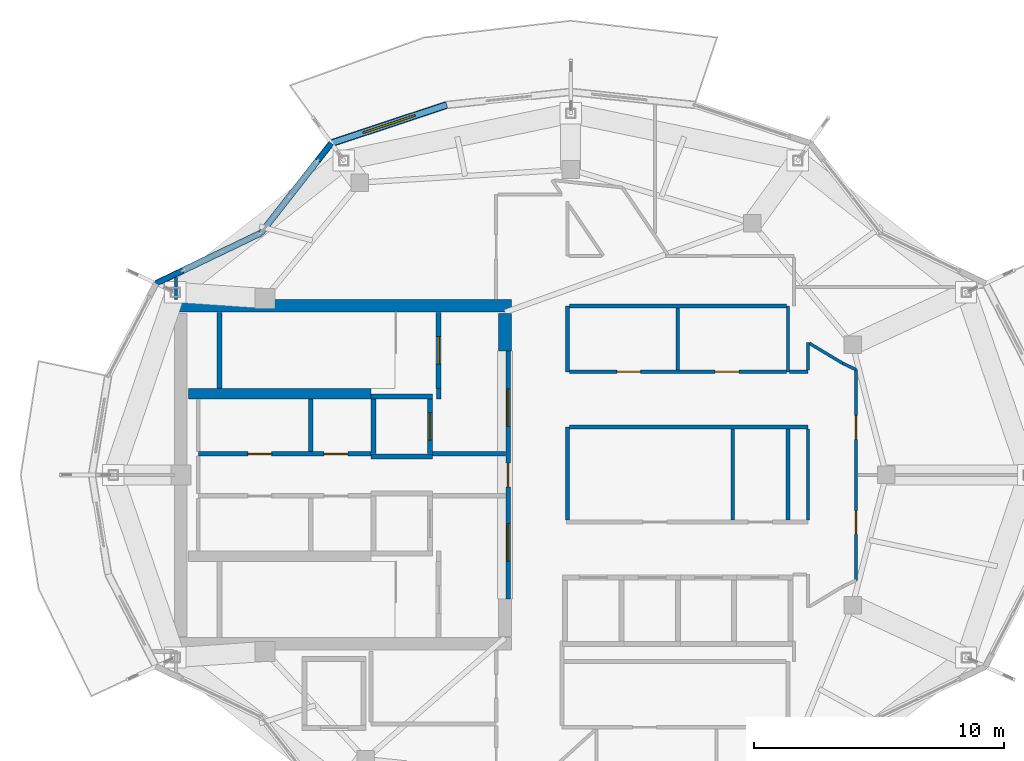
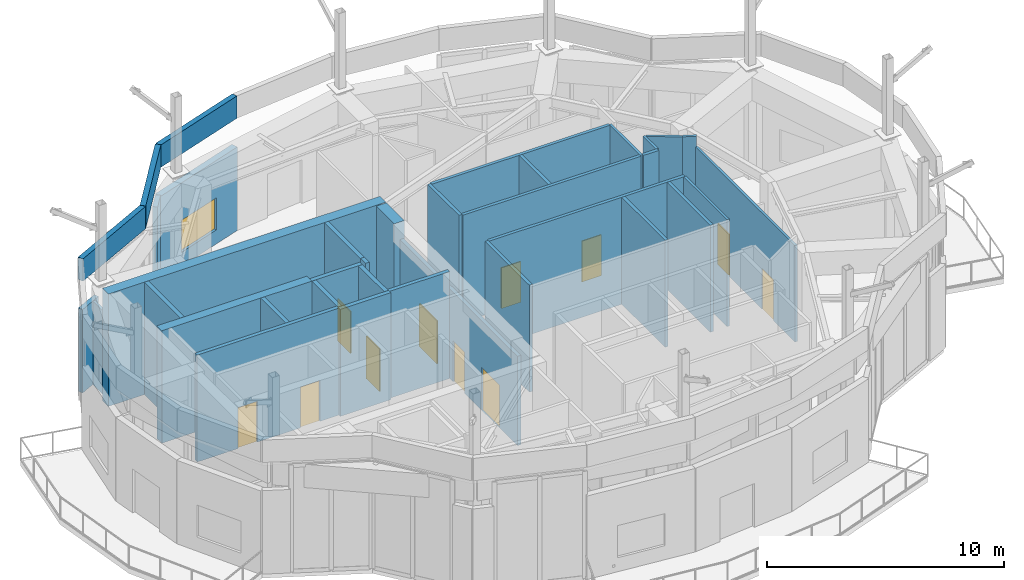
# One storey, part 10 of 13: 36 walls, 11 doors, 1 window, 12 openings.
"""IFC4 building model written with IfcOpenShell, lengths in metres."""

from ifc_helpers import new_model, si_unit, direction, frame, frame_2d, origin, place, context, subcontext, project, spatial, rectangle, extrude, material, layer, layer_set, type_object, element, fill, save


model = new_model("IFC4")

# Units and contexts
model_context = context("Model", 3, precision=1e-05, world=origin(), true_north=direction((0.0, 1.0)))
body_context = subcontext(model_context, "Body", "Model", "MODEL_VIEW")
ifc_project = project(units=[si_unit("LENGTHUNIT", "METRE"), si_unit("AREAUNIT", "SQUARE_METRE"), si_unit("VOLUMEUNIT", "CUBIC_METRE"), si_unit("PLANEANGLEUNIT", "RADIAN"), si_unit("MASSUNIT", "GRAM", prefix="KILO")], contexts=[model_context])

# Site, building, storey
site_placement = place(None, origin())
site = spatial("IfcSite", under=ifc_project, at=site_placement, CompositionType="ELEMENT")
building_placement = place(site_placement, origin())
building = spatial("IfcBuilding", under=site, at=building_placement, Name="Kolvaren Gate Tower and Convention Centre", CompositionType="ELEMENT")
storey_placement = place(building_placement, frame((0.0, 0.0, 281.60009765625)))
storey = spatial("IfcBuildingStorey", under=building, at=storey_placement, Name="L76", CompositionType="ELEMENT", Elevation=281.60009765625)

# Wall
ifc_material_1 = material(Name="Autoclaved Aerated Masonry Blockwork Class 4 (4.0 MPa)", Category="masonry")
ifc_layer_1 = layer(ifc_material_1, 0.179931640625)
ifc_layer_set_1 = layer_set([ifc_layer_1], Name="Autoclaved Aerated Masonry Blockwork Class 4 (4.0 MPa)")
wall_type_1 = type_object("IfcWallType", Name="ARCH-WL-COMP-180", PredefinedType="SOLIDWALL", material=ifc_layer_set_1)
wall_1_placement = place(storey_placement, frame((24.85009765625, 30.0400390625, 0.0), z_axis=(0.0, 0.0, 1.0), x_axis=(0.0, 1.0, 0.0)))
element("IfcWall", 1, at=wall_1_placement, inside=storey, type_object=wall_type_1, Name="Interior Partition WL-L76-INT-002", PredefinedType="SOLIDWALL", context=body_context, shape_type="SweptSolid", body=[
    extrude(rectangle(XDim=0.419921875, YDim=0.179931640625, at=frame_2d((0.2099609375, 0.0))), origin(), (0.0, 0.0, 1.0), 5.5),
])

# Wall, openings, doors
wall_2_placement = place(storey_placement, frame((27.6201171875, 22.050048828125, 0.0), z_axis=(0.0, 0.0, 1.0), x_axis=(0.0, 1.0, 0.0)))
wall_2 = element("IfcWall", 2, at=wall_2_placement, inside=storey, type_object=wall_type_1, Name="Interior Partition WL-L76-INT-003", PredefinedType="SOLIDWALL", context=body_context, shape_type="SweptSolid", body=[
    extrude(rectangle(XDim=9.89990234375, YDim=0.179931640625, at=frame_2d((4.949951171875, 0.0))), origin(), (0.0, 0.0, 1.0), 4.591796875),
])
opening_1_placement = place(wall_2_placement, frame((4.47509765625, 0.0, 0.0)))
opening_1 = element("IfcOpeningElement", 3, at=opening_1_placement, cuts=wall_2, Name="Opening DR-01", PredefinedType="OPENING", context=body_context, shape_type="SweptSolid", body=[
    extrude(rectangle(XDim=0.949951171875, YDim=2.10009765625, at=frame_2d((0.47509765625, 1.050048828125))), frame((0.0, 0.099853515625, 0.0), z_axis=(0.0, -1.0, 0.0), x_axis=(1.0, 0.0, 0.0)), (0.0, 0.0, 1.0), 0.199951171875),
])
opening_2_placement = place(wall_2_placement, frame((6.889892578125, 0.0, 0.0)))
opening_2 = element("IfcOpeningElement", 4, at=opening_2_placement, cuts=wall_2, Name="Opening DL-01", PredefinedType="OPENING", context=body_context, shape_type="SweptSolid", body=[
    extrude(rectangle(XDim=1.5, YDim=2.199951171875, at=frame_2d((0.75, 1.10009765625))), frame((0.0, 0.099853515625, 0.0), z_axis=(0.0, -1.0, 0.0), x_axis=(1.0, 0.0, 0.0)), (0.0, 0.0, 1.0), 0.199951171875),
])
opening_3_placement = place(wall_2_placement, frame((1.510009765625, 0.0, 0.0)))
opening_3 = element("IfcOpeningElement", 5, at=opening_3_placement, cuts=wall_2, Name="Opening DL-01", PredefinedType="OPENING", context=body_context, shape_type="SweptSolid", body=[
    extrude(rectangle(XDim=1.5, YDim=2.199951171875, at=frame_2d((0.75, 1.10009765625))), frame((0.0, 0.099853515625, 0.0), z_axis=(0.0, -1.0, 0.0), x_axis=(1.0, 0.0, 0.0)), (0.0, 0.0, 1.0), 0.199951171875),
])
ifc_material_2 = material(Name="Painted Architectural Steelwork ASTM A500 Grade C 345 MPa", Category="steel")
door_type_1 = type_object("IfcDoorType", Name="ARCH-DR-LOBBY-1500", OperationType="DOUBLE_DOOR_SINGLE_SWING", PredefinedType="DOOR", material=ifc_material_2)
door_1_placement = place(opening_2_placement, origin())
door_1 = element("IfcDoor", 6, at=door_1_placement, inside=storey, type_object=door_type_1, Name="North Firefighting Stair and Lift Lobby Door", OperationType="DOUBLE_DOOR_SINGLE_SWING", OverallHeight=2.199951171875, OverallWidth=1.5, PredefinedType="DOOR", context=body_context, shape_type="SweptSolid", body=[
    extrude(rectangle(XDim=1.5, YDim=2.199951171875, at=frame_2d((0.75, 1.10009765625))), frame((0.0, 0.02490234375, 0.0), z_axis=(0.0, -1.0, 0.0), x_axis=(1.0, 0.0, 0.0)), (0.0, 0.0, 1.0), 0.050048828125),
])
fill(opening_2, door_1)
door_2_placement = place(opening_3_placement, origin())
door_2 = element("IfcDoor", 7, at=door_2_placement, inside=storey, type_object=door_type_1, Name="South Firefighting Stair and Lift Lobby Door", OperationType="DOUBLE_DOOR_SINGLE_SWING", OverallHeight=2.199951171875, OverallWidth=1.5, PredefinedType="DOOR", context=body_context, shape_type="SweptSolid", body=[
    extrude(rectangle(XDim=1.5, YDim=2.199951171875, at=frame_2d((0.75, 1.10009765625))), frame((0.0, 0.02490234375, 0.0), z_axis=(0.0, -1.0, 0.0), x_axis=(1.0, 0.0, 0.0)), (0.0, 0.0, 1.0), 0.050048828125),
])
fill(opening_3, door_2)
door_type_2 = type_object("IfcDoorType", Name="ARCH-DR-RISER-950", OperationType="SINGLE_SWING_RIGHT", PredefinedType="DOOR", material=ifc_material_2)
door_3_placement = place(opening_1_placement, origin())
door_3 = element("IfcDoor", 8, at=door_3_placement, inside=storey, type_object=door_type_2, Name="Central MEP Service Corridor Door", OperationType="SINGLE_SWING_LEFT", OverallHeight=2.10009765625, OverallWidth=0.949951171875, PredefinedType="DOOR", context=body_context, shape_type="SweptSolid", body=[
    extrude(rectangle(XDim=0.949951171875, YDim=2.10009765625, at=frame_2d((0.47509765625, 1.050048828125))), frame((0.0, 0.02490234375, 0.0), z_axis=(0.0, -1.0, 0.0), x_axis=(1.0, 0.0, 0.0)), (0.0, 0.0, 1.0), 0.050048828125),
])
fill(opening_1, door_3)

wall_3_placement = place(storey_placement, frame((15.25, 27.840087890625, 0.0), z_axis=(0.0, 0.0, 1.0), x_axis=(1.0, 0.0, 0.0)))
wall_3 = element("IfcWall", 9, at=wall_3_placement, inside=storey, type_object=wall_type_1, Name="Interior Partition WL-L76-INT-004", PredefinedType="SOLIDWALL", context=body_context, shape_type="SweptSolid", body=[
    extrude(rectangle(XDim=6.89990234375, YDim=0.179931640625, at=frame_2d((3.449951171875, 0.0))), origin(), (0.0, 0.0, 1.0), 5.5),
])
opening_4_placement = place(wall_3_placement, frame((5.02001953125, 0.0, 0.0)))
opening_4 = element("IfcOpeningElement", 10, at=opening_4_placement, cuts=wall_3, Name="Opening DR-01", PredefinedType="OPENING", context=body_context, shape_type="SweptSolid", body=[
    extrude(rectangle(XDim=0.949951171875, YDim=2.10009765625, at=frame_2d((0.47509765625, 1.050048828125))), frame((0.0, 0.099853515625, 0.0), z_axis=(0.0, -1.0, 0.0), x_axis=(1.0, 0.0, 0.0)), (0.0, 0.0, 1.0), 0.199951171875),
])
opening_5_placement = place(wall_3_placement, frame((1.97998046875, 0.0, 0.0)))
opening_5 = element("IfcOpeningElement", 11, at=opening_5_placement, cuts=wall_3, Name="Opening DR-01", PredefinedType="OPENING", context=body_context, shape_type="SweptSolid", body=[
    extrude(rectangle(XDim=0.949951171875, YDim=2.10009765625, at=frame_2d((0.47509765625, 1.050048828125))), frame((0.0, 0.099853515625, 0.0), z_axis=(0.0, -1.0, 0.0), x_axis=(1.0, 0.0, 0.0)), (0.0, 0.0, 1.0), 0.199951171875),
])
door_4_placement = place(opening_4_placement, origin())
door_4 = element("IfcDoor", 12, at=door_4_placement, inside=storey, type_object=door_type_2, Name="Electrical Switchgear Closet Door", OperationType="SINGLE_SWING_RIGHT", OverallHeight=2.10009765625, OverallWidth=0.949951171875, PredefinedType="DOOR", context=body_context, shape_type="SweptSolid", body=[
    extrude(rectangle(XDim=0.949951171875, YDim=2.10009765625, at=frame_2d((0.47509765625, 1.050048828125))), frame((0.0, 0.02490234375, 0.0), z_axis=(0.0, -1.0, 0.0), x_axis=(1.0, 0.0, 0.0)), (0.0, 0.0, 1.0), 0.050048828125),
])
fill(opening_4, door_4)
door_5_placement = place(opening_5_placement, origin())
door_5 = element("IfcDoor", 13, at=door_5_placement, inside=storey, type_object=door_type_2, Name="Staff Powder Washroom Door", OperationType="SINGLE_SWING_RIGHT", OverallHeight=2.10009765625, OverallWidth=0.949951171875, PredefinedType="DOOR", context=body_context, shape_type="SweptSolid", body=[
    extrude(rectangle(XDim=0.949951171875, YDim=2.10009765625, at=frame_2d((0.47509765625, 1.050048828125))), frame((0.0, 0.02490234375, 0.0), z_axis=(0.0, -1.0, 0.0), x_axis=(1.0, 0.0, 0.0)), (0.0, 0.0, 1.0), 0.050048828125),
])
fill(opening_5, door_5)

# Walls
wall_4_placement = place(storey_placement, frame((24.60009765625, 27.840087890625, 0.0), z_axis=(0.0, 0.0, 1.0), x_axis=(1.0, 0.0, 0.0)))
element("IfcWall", 14, at=wall_4_placement, inside=storey, type_object=wall_type_1, Name="Interior Partition WL-L76-INT-004 (2)", PredefinedType="SOLIDWALL", context=body_context, shape_type="SweptSolid", body=[
    extrude(rectangle(XDim=2.927978515625, YDim=0.179931640625, at=frame_2d((1.4638671875, 0.0))), origin(), (0.0, 0.0, 1.0), 5.5),
])
wall_5_placement = place(storey_placement, frame((19.75, 27.931884765625, 0.0), z_axis=(0.0, 0.0, 1.0), x_axis=(0.0, 1.0, 0.0)))
element("IfcWall", 15, at=wall_5_placement, inside=storey, type_object=wall_type_1, Name="Interior Partition WL-L76-INT-008", PredefinedType="SOLIDWALL", context=body_context, shape_type="SweptSolid", body=[
    extrude(rectangle(XDim=2.106201171875, YDim=0.179931640625, at=frame_2d((1.05322265625, 0.0))), origin(), (0.0, 0.0, 1.0), 5.5),
])
ifc_material_3 = material(Name="Piedmont Cream Honed Limestone Cladding", Category="masonry")
ifc_layer_2 = layer(ifc_material_3, 0.25)
ifc_layer_set_2 = layer_set([ifc_layer_2], Name="Piedmont Cream Honed Limestone Cladding")
wall_type_2 = type_object("IfcWallType", Name="ARCH-WL-PARAPET-250", PredefinedType="PARAPET", material=ifc_layer_set_2)
wall_6_placement = place(storey_placement, frame((20.5625, 40.250244140625, 5.75), z_axis=(0.0, 0.0, 1.0), x_axis=(0.949234518432, 0.314569275388, 0.0)))
element("IfcWall", 16, at=wall_6_placement, inside=storey, type_object=wall_type_2, Name="Observation Roof Core-Cap Stone Parapet CPW-08", PredefinedType="PARAPET", context=body_context, shape_type="SweptSolid", body=[
    extrude(rectangle(XDim=4.859130859375, YDim=0.25, at=frame_2d((2.4296875, 0.0))), origin(), (0.0, 0.0, 1.0), 1.14990234375),
])
wall_7_placement = place(storey_placement, frame((17.755615234375, 36.664794921875, 5.75), z_axis=(0.0, 0.0, 1.0), x_axis=(0.616428247224, 0.78741108452, 0.0)))
element("IfcWall", 17, at=wall_7_placement, inside=storey, type_object=wall_type_2, Name="Observation Roof Core-Cap Stone Parapet CPW-09", PredefinedType="PARAPET", context=body_context, shape_type="SweptSolid", body=[
    extrude(rectangle(XDim=4.553466796875, YDim=0.25, at=frame_2d((2.27685546875, 0.0))), origin(), (0.0, 0.0, 1.0), 1.14990234375),
])
wall_8_placement = place(storey_placement, frame((13.562255859375, 34.64990234375, 5.75), z_axis=(0.0, 0.0, 1.0), x_axis=(0.901348560632, 0.433094414933, 0.0)))
element("IfcWall", 18, at=wall_8_placement, inside=storey, type_object=wall_type_2, Name="Observation Roof Core-Cap Stone Parapet CPW-10", PredefinedType="PARAPET", context=body_context, shape_type="SweptSolid", body=[
    extrude(rectangle(XDim=4.65234375, YDim=0.25, at=frame_2d((2.326171875, 0.0))), origin(), (0.0, 0.0, 1.0), 1.14990234375),
])
ifc_material_4 = material(Name="Fire-Rated Acoustic Gypsum Stud Partition", Category="gypsum")
ifc_layer_3 = layer(ifc_material_4, 0.1201171875)
ifc_layer_set_3 = layer_set([ifc_layer_3], Name="Fire-Rated Acoustic Gypsum Stud Partition")
wall_type_3 = type_object("IfcWallType", Name="ARCH-WL-PART-120", PredefinedType="PARTITIONING", material=ifc_layer_set_3)
wall_9_placement = place(storey_placement, frame((38.800048828125, 31.1201171875, 0.0), z_axis=(0.0, 0.0, 1.0), x_axis=(0.0, 1.0, 0.0)))
element("IfcWall", 19, at=wall_9_placement, inside=storey, type_object=wall_type_3, Name="Interior Partition WL-L76-INT-022", PredefinedType="PARTITIONING", context=body_context, shape_type="SweptSolid", body=[
    extrude(rectangle(XDim=2.6298828125, YDim=0.1201171875, at=frame_2d((1.31494140625, 0.0))), origin(), (0.0, 0.0, 1.0), 5.5),
])
wall_10_placement = place(storey_placement, frame((39.60009765625, 25.197021484375, 0.0), z_axis=(0.0, 0.0, 1.0), x_axis=(0.0, 1.0, 0.0)))
element("IfcWall", 20, at=wall_10_placement, inside=storey, type_object=wall_type_3, Name="Interior Partition WL-L76-INT-039", PredefinedType="PARTITIONING", context=body_context, shape_type="SweptSolid", body=[
    extrude(rectangle(XDim=3.64599609375, YDim=0.1201171875, at=frame_2d((1.822998046875, 0.0))), origin(), (0.0, 0.0, 1.0), 5.5),
])
wall_11_placement = place(storey_placement, frame((39.60009765625, 31.197021484375, 0.0), z_axis=(0.0, 0.0, 1.0), x_axis=(0.0, 1.0, 0.0)))
element("IfcWall", 21, at=wall_11_placement, inside=storey, type_object=wall_type_3, Name="Interior Partition WL-L76-INT-040", PredefinedType="PARTITIONING", context=body_context, shape_type="SweptSolid", body=[
    extrude(rectangle(XDim=1.093017578125, YDim=0.1201171875, at=frame_2d((0.54638671875, 0.0))), origin(), (0.0, 0.0, 1.0), 5.5),
])
wall_12_placement = place(storey_placement, frame((39.662109375, 32.252685546875, 0.0), z_axis=(0.0, 0.0, 1.0), x_axis=(0.857688234944, -0.514170099908, 0.0)))
element("IfcWall", 22, at=wall_12_placement, inside=storey, type_object=wall_type_3, Name="Interior Partition WL-L76-INT-041", PredefinedType="PARTITIONING", context=body_context, shape_type="SweptSolid", body=[
    extrude(rectangle(XDim=1.543701171875, YDim=0.1201171875, at=frame_2d((0.77197265625, 0.0))), origin(), (0.0, 0.0, 1.0), 5.5),
])
wall_13_placement = place(storey_placement, frame((40.986083984375, 31.458984375, 0.0), z_axis=(0.0, 0.0, 1.0), x_axis=(0.903729424576, -0.428104107847, 0.0)))
element("IfcWall", 23, at=wall_13_placement, inside=storey, type_object=wall_type_3, Name="Interior Partition WL-L76-INT-042", PredefinedType="PARTITIONING", context=body_context, shape_type="SweptSolid", body=[
    extrude(rectangle(XDim=0.5908203125, YDim=0.1201171875, at=frame_2d((0.29541015625, 0.0))), origin(), (0.0, 0.0, 1.0), 5.5),
])

# Wall, openings, doors
wall_14_placement = place(storey_placement, frame((41.52001953125, 22.7939453125, 0.0), z_axis=(0.0, 0.0, 1.0), x_axis=(0.0, 1.0, 0.0)))
wall_14 = element("IfcWall", 24, at=wall_14_placement, inside=storey, type_object=wall_type_3, Name="Interior Partition WL-L76-INT-043", PredefinedType="PARTITIONING", context=body_context, shape_type="SweptSolid", body=[
    extrude(rectangle(XDim=8.412109375, YDim=0.1201171875, at=frame_2d((4.2060546875, 0.0))), origin(), (0.0, 0.0, 1.0), 4.947998046875),
])
opening_6_placement = place(wall_14_placement, frame((1.8330078125, 0.0, 0.0)))
opening_6 = element("IfcOpeningElement", 25, at=opening_6_placement, cuts=wall_14, Name="Opening DR-01", PredefinedType="OPENING", context=body_context, shape_type="SweptSolid", body=[
    extrude(rectangle(XDim=0.949951171875, YDim=2.10009765625, at=frame_2d((0.47509765625, 1.050048828125))), frame((0.0, 0.070068359375, 0.0), z_axis=(0.0, -1.0, 0.0), x_axis=(1.0, 0.0, 0.0)), (0.0, 0.0, 1.0), 0.14013671875),
])
opening_7_placement = place(wall_14_placement, frame((5.62890625, 0.0, 0.0)))
opening_7 = element("IfcOpeningElement", 26, at=opening_7_placement, cuts=wall_14, Name="Opening DR-01", PredefinedType="OPENING", context=body_context, shape_type="SweptSolid", body=[
    extrude(rectangle(XDim=0.949951171875, YDim=2.10009765625, at=frame_2d((0.47509765625, 1.050048828125))), frame((0.0, 0.070068359375, 0.0), z_axis=(0.0, -1.0, 0.0), x_axis=(1.0, 0.0, 0.0)), (0.0, 0.0, 1.0), 0.14013671875),
])
door_6_placement = place(opening_6_placement, origin())
door_6 = element("IfcDoor", 27, at=door_6_placement, inside=storey, type_object=door_type_2, Name="Monserrate East Panorama Observation Deck Door", OperationType="SINGLE_SWING_RIGHT", OverallHeight=2.10009765625, OverallWidth=0.949951171875, PredefinedType="DOOR", context=body_context, shape_type="SweptSolid", body=[
    extrude(rectangle(XDim=0.949951171875, YDim=2.10009765625, at=frame_2d((0.47509765625, 1.050048828125))), frame((0.0, 0.02490234375, 0.0), z_axis=(0.0, -1.0, 0.0), x_axis=(1.0, 0.0, 0.0)), (0.0, 0.0, 1.0), 0.050048828125),
])
fill(opening_6, door_6)
door_7_placement = place(opening_7_placement, origin())
door_7 = element("IfcDoor", 28, at=door_7_placement, inside=storey, type_object=door_type_2, Name="Andean Meteorology Research Office Door", OperationType="SINGLE_SWING_RIGHT", OverallHeight=2.10009765625, OverallWidth=0.949951171875, PredefinedType="DOOR", context=body_context, shape_type="SweptSolid", body=[
    extrude(rectangle(XDim=0.949951171875, YDim=2.10009765625, at=frame_2d((0.47509765625, 1.050048828125))), frame((0.0, 0.02490234375, 0.0), z_axis=(0.0, -1.0, 0.0), x_axis=(1.0, 0.0, 0.0)), (0.0, 0.0, 1.0), 0.050048828125),
])
fill(opening_7, door_7)

# Walls
wall_15_placement = place(storey_placement, frame((14.35009765625, 34.001953125, 0.0), z_axis=(0.0, 0.0, 1.0), x_axis=(0.0, 1.0, 0.0)))
element("IfcWall", 29, at=wall_15_placement, inside=storey, type_object=wall_type_3, Name="Interior Partition WL-L76-INT-058 (2)", PredefinedType="PARTITIONING", context=body_context, shape_type="SweptSolid", body=[
    extrude(rectangle(XDim=0.8857421875, YDim=0.1201171875, at=frame_2d((0.44287109375, 0.0))), origin(), (0.0, 0.0, 1.0), 4.2919921875),
])
ifc_material_5 = material(Name="Bogota Sabana Bush-Hammered Sandstone Cladding", Category="masonry")
ifc_layer_4 = layer(ifc_material_5, 0.219970703125)
ifc_layer_set_4 = layer_set([ifc_layer_4], Name="Bogota Sabana Bush-Hammered Sandstone Cladding")
wall_type_4 = type_object("IfcWallType", Name="ARCH-WL-PIER-220", PredefinedType="SOLIDWALL", material=ifc_layer_set_4)
wall_16_placement = place(storey_placement, frame((20.022216796875, 39.56005859375, 0.0), z_axis=(0.0, 0.0, 1.0), x_axis=(0.61640589237, 0.787428584604, 0.0)))
element("IfcWall", 30, at=wall_16_placement, inside=storey, type_object=wall_type_4, Name="L76 Panoramic Structural Curtain Wall CW-08 Right Column Pier Wrap", PredefinedType="SOLIDWALL", context=body_context, shape_type="SweptSolid", body=[
    extrude(rectangle(XDim=0.87646484375, YDim=0.219970703125, at=frame_2d((0.438232421875, 0.0))), origin(), (0.0, 0.0, 1.0), 4.2919921875),
])
wall_17_placement = place(storey_placement, frame((13.562255859375, 34.64990234375, 0.0), z_axis=(0.0, 0.0, 1.0), x_axis=(0.901264843027, 0.433268603437, 0.0)))
element("IfcWall", 31, at=wall_17_placement, inside=storey, type_object=wall_type_4, Name="L76 Panoramic Structural Curtain Wall CW-09 Left Column Pier Wrap", PredefinedType="SOLIDWALL", context=body_context, shape_type="SweptSolid", body=[
    extrude(rectangle(XDim=1.18115234375, YDim=0.219970703125, at=frame_2d((0.590576171875, 0.0))), origin(), (0.0, 0.0, 1.0), 4.2919921875),
])
ifc_layer_5 = layer(ifc_material_1, 0.199951171875)
ifc_layer_set_5 = layer_set([ifc_layer_5], Name="Autoclaved Aerated Masonry Blockwork Class 4 (4.0 MPa)")
wall_type_5 = type_object("IfcWallType", Name="ARCH-WL-SHAFT-200", PredefinedType="SOLIDWALL", material=ifc_layer_set_5)
for number, where, z_axis, x_axis, name in (
    (32, (22.14990234375, 30.139892578125, 0.0), (0.0, 0.0, 1.0), (1.0, 0.0, 0.0), "Elevator FF-01 L76 Fire Shaft Wall N"),
    (33, (22.14990234375, 27.739990234375, 0.0), (0.0, 0.0, 1.0), (1.0, 0.0, 0.0), "Elevator FF-01 L76 Fire Shaft Wall S"),
):
    element("IfcWall", number, at=place(storey_placement, frame(where, z_axis=z_axis, x_axis=x_axis)), inside=storey, type_object=wall_type_5, Name=name, PredefinedType="SOLIDWALL", context=body_context, shape_type="SweptSolid", body=[
        extrude(rectangle(XDim=2.4501953125, YDim=0.199951171875, at=frame_2d((1.22509765625, 0.0))), origin(), (0.0, 0.0, 1.0), 5.5),
    ])
wall_18_placement = place(storey_placement, frame((22.25, 27.85009765625, 0.0), z_axis=(0.0, 0.0, 1.0), x_axis=(0.0, 1.0, 0.0)))
element("IfcWall", 34, at=wall_18_placement, inside=storey, type_object=wall_type_5, Name="Elevator FF-01 L76 Fire Shaft Wall W", PredefinedType="SOLIDWALL", context=body_context, shape_type="SweptSolid", body=[
    extrude(rectangle(XDim=2.179931640625, YDim=0.199951171875, at=frame_2d((1.08984375, 0.0))), origin(), (0.0, 0.0, 1.0), 5.5),
])

# Wall, opening, door
wall_19_placement = place(storey_placement, frame((24.5, 27.85009765625, 0.0), z_axis=(0.0, 0.0, 1.0), x_axis=(0.0, 1.0, 0.0)))
wall_19 = element("IfcWall", 35, at=wall_19_placement, inside=storey, type_object=wall_type_5, Name="Elevator FF-01 L76 Fire Shaft Wall E", PredefinedType="SOLIDWALL", context=body_context, shape_type="SweptSolid", body=[
    extrude(rectangle(XDim=2.179931640625, YDim=0.199951171875, at=frame_2d((1.08984375, 0.0))), origin(), (0.0, 0.0, 1.0), 5.5),
])
opening_8_placement = place(wall_19_placement, frame((0.5400390625, 0.0, 0.0)))
opening_8 = element("IfcOpeningElement", 36, at=opening_8_placement, cuts=wall_19, Name="Opening LD", PredefinedType="OPENING", context=body_context, shape_type="SweptSolid", body=[
    extrude(rectangle(XDim=1.10009765625, YDim=2.199951171875, at=frame_2d((0.550048828125, 1.10009765625))), frame((0.0, 0.10986328125, 0.0), z_axis=(0.0, -1.0, 0.0), x_axis=(1.0, 0.0, 0.0)), (0.0, 0.0, 1.0), 0.219970703125),
])
ifc_material_6 = material(Name="Brushed Stainless Steel Grade 316L", Category="steel")
door_type_3 = type_object("IfcDoorType", Name="ARCH-DR-LIFT-1100", OperationType="SLIDING_TO_LEFT", PredefinedType="DOOR", material=ifc_material_6)
door_8_placement = place(opening_8_placement, origin())
door_8 = element("IfcDoor", 37, at=door_8_placement, inside=storey, type_object=door_type_3, Name="Elevator FF-01 L76 Sliding Landing Door", OperationType="SLIDING_TO_LEFT", OverallHeight=2.199951171875, OverallWidth=1.10009765625, PredefinedType="DOOR", context=body_context, shape_type="SweptSolid", body=[
    extrude(rectangle(XDim=1.10009765625, YDim=2.199951171875, at=frame_2d((0.550048828125, 1.10009765625))), frame((0.0, 0.02490234375, 0.0), z_axis=(0.0, -1.0, 0.0), x_axis=(1.0, 0.0, 0.0)), (0.0, 0.0, 1.0), 0.050048828125),
])
fill(opening_8, door_8)

# Wall, opening, window
ifc_layer_6 = layer(ifc_material_3, 0.300048828125)
ifc_layer_set_6 = layer_set([ifc_layer_6], Name="Piedmont Cream Honed Limestone Cladding")
wall_type_6 = type_object("IfcWallType", Name="ARCH-WL-STONE-300", PredefinedType="SOLIDWALL", material=ifc_layer_set_6)
wall_20_placement = place(storey_placement, frame((20.5625, 40.250244140625, 0.0), z_axis=(0.0, 0.0, 1.0), x_axis=(0.949234518432, 0.314569275388, 0.0)))
wall_20 = element("IfcWall", 38, at=wall_20_placement, inside=storey, type_object=wall_type_6, Name="Tower L76 Honed Stone Spandrel Wall EW-07", PredefinedType="SOLIDWALL", context=body_context, shape_type="SweptSolid", body=[
    extrude(rectangle(XDim=4.859130859375, YDim=0.300048828125, at=frame_2d((2.4296875, 0.0))), origin(), (0.0, 0.0, 1.0), 4.2919921875),
])
opening_9_placement = place(wall_20_placement, frame((1.330078125, 0.0, 0.719970703125)))
opening_9 = element("IfcOpeningElement", 39, at=opening_9_placement, cuts=wall_20, Name="Opening W-03", PredefinedType="OPENING", context=body_context, shape_type="SweptSolid", body=[
    extrude(rectangle(XDim=2.199951171875, YDim=1.64990234375, at=frame_2d((1.10009765625, 0.824951171875))), frame((0.0, 0.159912109375, 0.0), z_axis=(0.0, -1.0, 0.0), x_axis=(1.0, 0.0, 0.0)), (0.0, 0.0, 1.0), 0.320068359375),
])
ifc_material_7 = material(Name="Low-E Triple Insulated Glazing Unit 44 mm", Category="glass")
window_type = type_object("IfcWindowType", Name="ARCH-WN-RES-2200", PartitioningType="SINGLE_PANEL", PredefinedType="WINDOW", material=ifc_material_7)
window_placement = place(opening_9_placement, origin())
window = element("IfcWindow", 40, at=window_placement, inside=storey, type_object=window_type, Name="Tower L76 Punched Stone Facade Window W-07", OverallHeight=1.64990234375, OverallWidth=2.199951171875, PartitioningType="SINGLE_PANEL", PredefinedType="WINDOW", context=body_context, shape_type="SweptSolid", body=[
    extrude(rectangle(XDim=2.199951171875, YDim=1.64990234375, at=frame_2d((1.10009765625, 0.824951171875))), frame((0.0, 0.030029296875, 0.0), z_axis=(0.0, -1.0, 0.0), x_axis=(1.0, 0.0, 0.0)), (0.0, 0.0, 1.0), 0.06005859375),
])
fill(opening_9, window)

# Walls
ifc_material_8 = material(Name="Moisture-Resistant Cement-Board Acoustic Partition", Category="gypsum")
ifc_layer_7 = layer(ifc_material_8, 0.14990234375)
ifc_layer_set_7 = layer_set([ifc_layer_7], Name="Moisture-Resistant Cement-Board Acoustic Partition")
wall_type_7 = type_object("IfcWallType", Name="ARCH-WL-WET-150", PredefinedType="PARTITIONING", material=ifc_layer_set_7)
wall_21_placement = place(storey_placement, frame((30.0, 25.197021484375, 0.0), z_axis=(0.0, 0.0, 1.0), x_axis=(0.0, 1.0, 0.0)))
element("IfcWall", 41, at=wall_21_placement, inside=storey, type_object=wall_type_7, Name="Interior Partition WL-L76-INT-015", PredefinedType="PARTITIONING", context=body_context, shape_type="SweptSolid", body=[
    extrude(rectangle(XDim=3.722900390625, YDim=0.14990234375, at=frame_2d((1.861328125, 0.0))), origin(), (0.0, 0.0, 1.0), 5.5),
])
wall_22_placement = place(storey_placement, frame((30.0, 31.1201171875, 0.0), z_axis=(0.0, 0.0, 1.0), x_axis=(0.0, 1.0, 0.0)))
element("IfcWall", 42, at=wall_22_placement, inside=storey, type_object=wall_type_7, Name="Interior Partition WL-L76-INT-016", PredefinedType="PARTITIONING", context=body_context, shape_type="SweptSolid", body=[
    extrude(rectangle(XDim=2.6298828125, YDim=0.14990234375, at=frame_2d((1.31494140625, 0.0))), origin(), (0.0, 0.0, 1.0), 5.5),
])
wall_23_placement = place(storey_placement, frame((30.076904296875, 28.919921875, 0.0), z_axis=(0.0, 0.0, 1.0), x_axis=(1.0, 0.0, 0.0)))
element("IfcWall", 43, at=wall_23_placement, inside=storey, type_object=wall_type_7, Name="Interior Partition WL-L76-INT-018", PredefinedType="PARTITIONING", context=body_context, shape_type="SweptSolid", body=[
    extrude(rectangle(XDim=9.523193359375, YDim=0.14990234375, at=frame_2d((4.76171875, 0.0))), origin(), (0.0, 0.0, 1.0), 5.5),
])
for number, where, z_axis, x_axis, name in (
    (44, (36.60009765625, 25.197021484375, 0.0), (0.0, 0.0, 1.0), (0.0, 1.0, 0.0), "Interior Partition WL-L76-INT-019"),
    (45, (38.800048828125, 25.197021484375, 0.0), (0.0, 0.0, 1.0), (0.0, 1.0, 0.0), "Interior Partition WL-L76-INT-021"),
):
    element("IfcWall", number, at=place(storey_placement, frame(where, z_axis=z_axis, x_axis=x_axis)), inside=storey, type_object=wall_type_7, Name=name, PredefinedType="PARTITIONING", context=body_context, shape_type="SweptSolid", body=[
        extrude(rectangle(XDim=3.64599609375, YDim=0.14990234375, at=frame_2d((1.822998046875, 0.0))), origin(), (0.0, 0.0, 1.0), 5.5),
    ])

# Wall, openings, doors
wall_24_placement = place(storey_placement, frame((30.076904296875, 31.1201171875, 0.0), z_axis=(0.0, 0.0, 1.0), x_axis=(1.0, 0.0, 0.0)))
wall_24 = element("IfcWall", 46, at=wall_24_placement, inside=storey, type_object=wall_type_7, Name="Interior Partition WL-L76-INT-023", PredefinedType="PARTITIONING", context=body_context, shape_type="SweptSolid", body=[
    extrude(rectangle(XDim=8.6611328125, YDim=0.14990234375, at=frame_2d((4.33056640625, 0.0))), origin(), (0.0, 0.0, 1.0), 5.5),
])
opening_10_placement = place(wall_24_placement, frame((1.8916015625, 0.0, 0.0)))
opening_10 = element("IfcOpeningElement", 47, at=opening_10_placement, cuts=wall_24, Name="Opening DR-01", PredefinedType="OPENING", context=body_context, shape_type="SweptSolid", body=[
    extrude(rectangle(XDim=0.949951171875, YDim=2.10009765625, at=frame_2d((0.47509765625, 1.050048828125))), frame((0.0, 0.0849609375, 0.0), z_axis=(0.0, -1.0, 0.0), x_axis=(1.0, 0.0, 0.0)), (0.0, 0.0, 1.0), 0.169921875),
])
opening_11_placement = place(wall_24_placement, frame((5.81201171875, 0.0, 0.0)))
opening_11 = element("IfcOpeningElement", 48, at=opening_11_placement, cuts=wall_24, Name="Opening DR-01", PredefinedType="OPENING", context=body_context, shape_type="SweptSolid", body=[
    extrude(rectangle(XDim=0.949951171875, YDim=2.10009765625, at=frame_2d((0.47509765625, 1.050048828125))), frame((0.0, 0.0849609375, 0.0), z_axis=(0.0, -1.0, 0.0), x_axis=(1.0, 0.0, 0.0)), (0.0, 0.0, 1.0), 0.169921875),
])
door_9_placement = place(opening_10_placement, origin())
door_9 = element("IfcDoor", 49, at=door_9_placement, inside=storey, type_object=door_type_2, Name="Valet and Linen Store Door", OperationType="SINGLE_SWING_LEFT", OverallHeight=2.10009765625, OverallWidth=0.949951171875, PredefinedType="DOOR", context=body_context, shape_type="SweptSolid", body=[
    extrude(rectangle(XDim=0.949951171875, YDim=2.10009765625, at=frame_2d((0.47509765625, 1.050048828125))), frame((0.0, 0.02490234375, 0.0), z_axis=(0.0, -1.0, 0.0), x_axis=(1.0, 0.0, 0.0)), (0.0, 0.0, 1.0), 0.050048828125),
])
fill(opening_10, door_9)
door_10_placement = place(opening_11_placement, origin())
door_10 = element("IfcDoor", 50, at=door_10_placement, inside=storey, type_object=door_type_2, Name="Ice and Beverage Pantry Door", OperationType="SINGLE_SWING_RIGHT", OverallHeight=2.10009765625, OverallWidth=0.949951171875, PredefinedType="DOOR", context=body_context, shape_type="SweptSolid", body=[
    extrude(rectangle(XDim=0.949951171875, YDim=2.10009765625, at=frame_2d((0.47509765625, 1.050048828125))), frame((0.0, 0.02490234375, 0.0), z_axis=(0.0, -1.0, 0.0), x_axis=(1.0, 0.0, 0.0)), (0.0, 0.0, 1.0), 0.050048828125),
])
fill(opening_11, door_10)

# Walls
wall_25_placement = place(storey_placement, frame((38.862060546875, 31.1201171875, 0.0), z_axis=(0.0, 0.0, 1.0), x_axis=(1.0, 0.0, 0.0)))
element("IfcWall", 51, at=wall_25_placement, inside=storey, type_object=wall_type_7, Name="Interior Partition WL-L76-INT-023 (2)", PredefinedType="PARTITIONING", context=body_context, shape_type="SweptSolid", body=[
    extrude(rectangle(XDim=0.738037109375, YDim=0.14990234375, at=frame_2d((0.369140625, 0.0))), origin(), (0.0, 0.0, 1.0), 5.5),
])
wall_26_placement = place(storey_placement, frame((30.076904296875, 33.75, 0.0), z_axis=(0.0, 0.0, 1.0), x_axis=(1.0, 0.0, 0.0)))
element("IfcWall", 52, at=wall_26_placement, inside=storey, type_object=wall_type_7, Name="Interior Partition WL-L76-INT-024", PredefinedType="PARTITIONING", context=body_context, shape_type="SweptSolid", body=[
    extrude(rectangle(XDim=8.6611328125, YDim=0.14990234375, at=frame_2d((4.33056640625, 0.0))), origin(), (0.0, 0.0, 1.0), 5.5),
])
wall_27_placement = place(storey_placement, frame((34.39990234375, 31.197021484375, 0.0), z_axis=(0.0, 0.0, 1.0), x_axis=(0.0, 1.0, 0.0)))
element("IfcWall", 53, at=wall_27_placement, inside=storey, type_object=wall_type_7, Name="Interior Partition WL-L76-INT-025", PredefinedType="PARTITIONING", context=body_context, shape_type="SweptSolid", body=[
    extrude(rectangle(XDim=2.47607421875, YDim=0.14990234375, at=frame_2d((1.238037109375, 0.0))), origin(), (0.0, 0.0, 1.0), 5.5),
])
ifc_material_9 = material(Name="Concrete C50/60", Category="concrete")
ifc_layer_8 = layer(ifc_material_9, 0.419921875)
ifc_layer_set_8 = layer_set([ifc_layer_8], Name="Concrete C50/60")
wall_type_8 = type_object("IfcWallType", Name="STR-WL-CONV-420", PredefinedType="SHEAR", material=ifc_layer_set_8)
wall_28_placement = place(storey_placement, frame((14.85009765625, 30.25, -0.280029296875), z_axis=(0.0, 0.0, 1.0), x_axis=(1.0, 0.0, 0.0)))
element("IfcWall", 54, at=wall_28_placement, inside=storey, type_object=wall_type_8, Name="Tower L76 Offset Core Shear Wall WN", PredefinedType="SHEAR", context=body_context, shape_type="SweptSolid", body=[
    extrude(rectangle(XDim=7.2998046875, YDim=0.419921875, at=frame_2d((3.64990234375, 0.0))), origin(), (0.0, 0.0, 1.0), 5.780029296875),
])
ifc_layer_9 = layer(ifc_material_9, 0.5)
ifc_layer_set_9 = layer_set([ifc_layer_9], Name="Concrete C50/60")
wall_type_9 = type_object("IfcWallType", Name="STR-WL-CORE-500", PredefinedType="SHEAR", material=ifc_layer_set_9)
wall_29_placement = place(storey_placement, frame((14.25, 33.75, -0.280029296875), z_axis=(0.0, 0.0, 1.0), x_axis=(1.0, 0.0, 0.0)))
element("IfcWall", 55, at=wall_29_placement, inside=storey, type_object=wall_type_9, Name="Tower L76 Offset Core Shear Wall N", PredefinedType="SHEAR", context=body_context, shape_type="SweptSolid", body=[
    extrude(rectangle(XDim=13.5, YDim=0.5, at=frame_2d((6.75, 0.0))), origin(), (0.0, 0.0, 1.0), 5.780029296875),
])
wall_30_placement = place(storey_placement, frame((27.5, 31.949951171875, -0.280029296875), z_axis=(0.0, 0.0, 1.0), x_axis=(0.0, 1.0, 0.0)))
element("IfcWall", 56, at=wall_30_placement, inside=storey, type_object=wall_type_9, Name="Tower L76 Offset Core Shear Wall EN", PredefinedType="SHEAR", context=body_context, shape_type="SweptSolid", body=[
    extrude(rectangle(XDim=1.5, YDim=0.5, at=frame_2d((0.75, 0.0))), origin(), (0.0, 0.0, 1.0), 5.780029296875),
])

# Wall, opening, door
ifc_layer_10 = layer(ifc_material_9, 0.199951171875)
ifc_layer_set_10 = layer_set([ifc_layer_10], Name="Concrete C50/60")
wall_type_10 = type_object("IfcWallType", Name="STR-WL-SHAFT-200", PredefinedType="SHEAR", material=ifc_layer_set_10)
wall_31_placement = place(storey_placement, frame((24.85009765625, 30.4599609375, -0.280029296875), z_axis=(0.0, 0.0, 1.0), x_axis=(0.0, 1.0, 0.0)))
wall_31 = element("IfcWall", 57, at=wall_31_placement, inside=storey, type_object=wall_type_10, Name="Tower North Exit Stair ST-T1 L76 Structural Shear Enclosure Wall NEAR", PredefinedType="SHEAR", context=body_context, shape_type="SweptSolid", body=[
    extrude(rectangle(XDim=3.0380859375, YDim=0.199951171875, at=frame_2d((1.51904296875, 0.0))), origin(), (0.0, 0.0, 1.0), 5.780029296875),
])
opening_12_placement = place(wall_31_placement, frame((0.968994140625, 0.0, 0.280029296875)))
opening_12 = element("IfcOpeningElement", 58, at=opening_12_placement, cuts=wall_31, Name="Opening DS-01", PredefinedType="OPENING", context=body_context, shape_type="SweptSolid", body=[
    extrude(rectangle(XDim=1.10009765625, YDim=2.14990234375, at=frame_2d((0.550048828125, 1.074951171875))), frame((0.0, 0.10986328125, 0.0), z_axis=(0.0, -1.0, 0.0), x_axis=(1.0, 0.0, 0.0)), (0.0, 0.0, 1.0), 0.219970703125),
])
door_type_4 = type_object("IfcDoorType", Name="ARCH-DR-STAIR-1100", OperationType="SINGLE_SWING_LEFT", PredefinedType="DOOR", material=ifc_material_2)
door_11_placement = place(opening_12_placement, origin())
door_11 = element("IfcDoor", 59, at=door_11_placement, inside=storey, type_object=door_type_4, Name="Tower North Exit Stair ST-T1 L76 Fire Exit Stair Door", OperationType="SINGLE_SWING_RIGHT", OverallHeight=2.14990234375, OverallWidth=1.10009765625, PredefinedType="DOOR", context=body_context, shape_type="SweptSolid", body=[
    extrude(rectangle(XDim=1.10009765625, YDim=2.14990234375, at=frame_2d((0.550048828125, 1.074951171875))), frame((0.0, 0.02490234375, 0.0), z_axis=(0.0, -1.0, 0.0), x_axis=(1.0, 0.0, 0.0)), (0.0, 0.0, 1.0), 0.050048828125),
])
fill(opening_12, door_11)

# Wall
wall_32_placement = place(storey_placement, frame((16.10009765625, 30.4619140625, -0.280029296875), z_axis=(0.0, 0.0, 1.0), x_axis=(0.0, 1.0, 0.0)))
element("IfcWall", 60, at=wall_32_placement, inside=storey, type_object=wall_type_10, Name="Tower North Exit Stair ST-T1 L76 Structural Shear Enclosure Wall FAR", PredefinedType="SHEAR", context=body_context, shape_type="SweptSolid", body=[
    extrude(rectangle(XDim=3.0361328125, YDim=0.199951171875, at=frame_2d((1.51806640625, 0.0))), origin(), (0.0, 0.0, 1.0), 5.780029296875),
])

save(model, "model.ifc")
